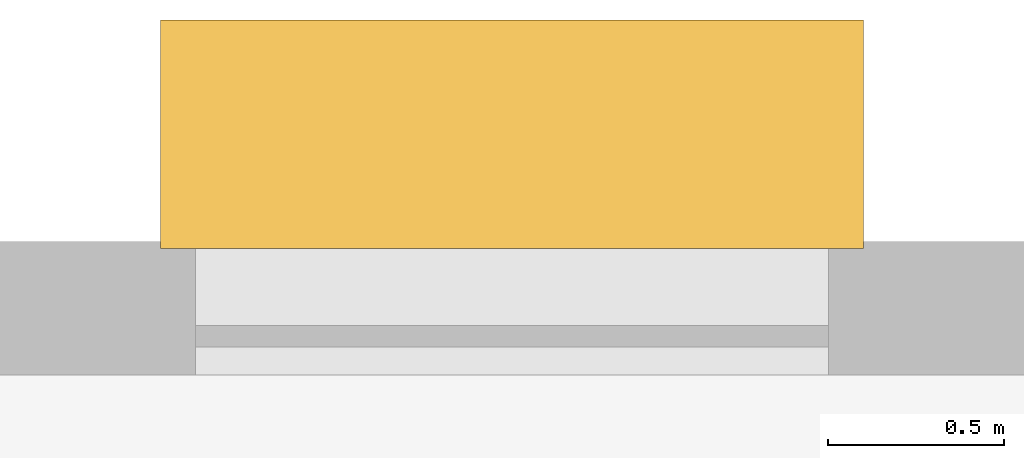
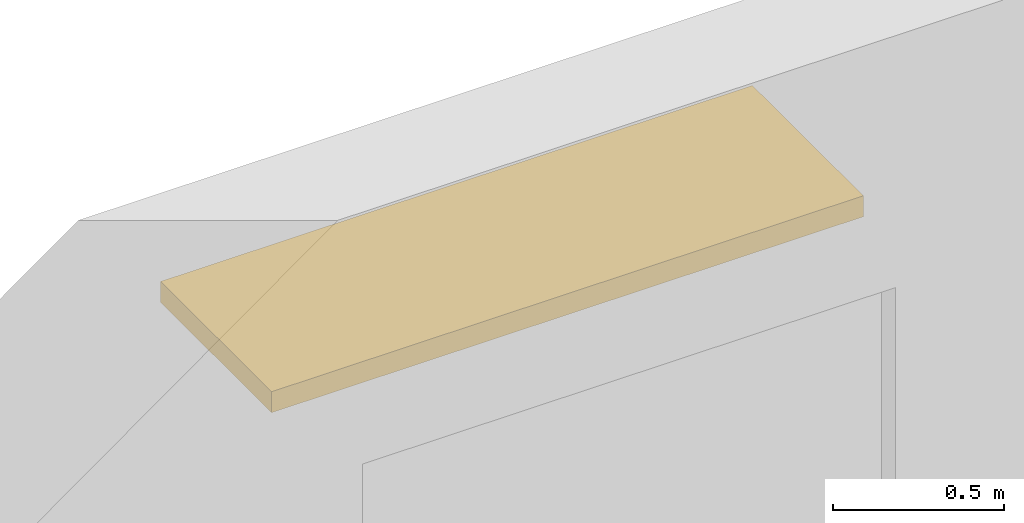
# One storey, part 10 of 10: 1 shading device.
"""IFC4 building model written with IfcOpenShell, lengths in metres."""

import ifcopenshell
import ifcopenshell.guid

model = None  # the IFC model being written
_history = None  # IfcOwnerHistory: only IFC2X3 demands one
_inside = {}  # id of a spatial element -> (the spatial element, [elements in it])
_under = {}  # id of a project, library or spatial element -> (it, [spatial elements below it])
_declared = {}  # id of a project -> (the project, [libraries it declares])
_typed = {}  # id of a type object -> (the type object, [elements of that type])
_made_of = {}  # id of a material, layer set ... -> (it, [elements and type objects made of it])


def new_model(schema):
    """Start an empty IFC model of exactly this schema.

    Asked for "IFC4X3", IfcOpenShell would pick the latest addendum, in which some entities
    have other attributes; the version numbers below select the first issue.
    IFC2X3 requires an IfcOwnerHistory on every rooted entity: one is made here for all.
    """
    global model, _history
    if schema == "IFC4X3":
        model = ifcopenshell.file(schema_version=(4, 3, 0, 0))
    else:
        model = ifcopenshell.file(schema=schema)
    _inside.clear()
    _under.clear()
    _declared.clear()
    _typed.clear()
    _made_of.clear()
    _history = None
    if model.schema == "IFC2X3":
        org = make("IfcOrganization", Name="unknown")
        user = make(
            "IfcPersonAndOrganization",
            ThePerson=make("IfcPerson", FamilyName="unknown"),
            TheOrganization=org,
        )
        app = make(
            "IfcApplication",
            ApplicationDeveloper=org,
            Version="unknown",
            ApplicationFullName="unknown",
            ApplicationIdentifier="unknown",
        )
        _history = make(
            "IfcOwnerHistory",
            OwningUser=user,
            OwningApplication=app,
            ChangeAction="ADDED",
            CreationDate=0,
        )
    return model


def make(cls, **values):
    """One entity of the class cls with the attributes given. An attribute that is None is left unset."""
    return model.create_entity(
        cls, **{name: value for name, value in values.items() if value is not None}
    )


def rooted(cls, **values):
    """An entity with a GlobalId (a new one), such as an element, a storey or a relation."""
    return make(cls, GlobalId=ifcopenshell.guid.new(), OwnerHistory=_history, **values)


def si_unit(unit_type, name, prefix=None):
    """IfcSIUnit, for example si_unit("LENGTHUNIT", "METRE", prefix="MILLI")."""
    return make("IfcSIUnit", UnitType=unit_type, Prefix=prefix, Name=name)


def assignment(units):
    """IfcUnitAssignment: the units of a project."""
    return None if units is None else make("IfcUnitAssignment", Units=units)


def point(xyz):
    """IfcCartesianPoint."""
    return None if xyz is None else make("IfcCartesianPoint", Coordinates=xyz)


def direction(xyz):
    """IfcDirection."""
    return None if xyz is None else make("IfcDirection", DirectionRatios=xyz)


def frame(location, z_axis=None, x_axis=None):
    """IfcAxis2Placement3D, a coordinate frame: its origin and axes. An axis left out is left unset."""
    return make(
        "IfcAxis2Placement3D",
        Location=point(location),
        Axis=direction(z_axis),
        RefDirection=direction(x_axis),
    )


def frame_2d(location, x_axis=None):
    """IfcAxis2Placement2D, a coordinate frame in the plane: its origin and x axis."""
    return make(
        "IfcAxis2Placement2D", Location=point(location), RefDirection=direction(x_axis)
    )


def origin():
    """The frame at (0, 0, 0) with its axes left unset."""
    return frame((0.0, 0.0, 0.0))


def origin_2d():
    """The frame at (0, 0) in the plane with its x axis left unset."""
    return frame_2d((0.0, 0.0))


def place(relative_to, where):
    """IfcLocalPlacement: puts the frame where relative to a parent placement (None: the world)."""
    return make(
        "IfcLocalPlacement", PlacementRelTo=relative_to, RelativePlacement=where
    )


def context(
    kind, dimensions, precision=None, world=None, true_north=None, identifier=None
):
    """IfcGeometricRepresentationContext, for example the 3D "Model" context."""
    return make(
        "IfcGeometricRepresentationContext",
        ContextIdentifier=identifier,
        ContextType=kind,
        CoordinateSpaceDimension=dimensions,
        Precision=precision,
        WorldCoordinateSystem=world,
        TrueNorth=true_north,
    )


def subcontext(parent, identifier, kind, view, scale=None):
    """IfcGeometricRepresentationSubContext, for example "Body" below "Model"."""
    return make(
        "IfcGeometricRepresentationSubContext",
        ContextIdentifier=identifier,
        ContextType=kind,
        ParentContext=parent,
        TargetScale=scale,
        TargetView=view,
    )


def project(units=None, contexts=None):
    """IfcProject with its units and contexts."""
    return rooted(
        "IfcProject",
        Name="project",
        RepresentationContexts=contexts,
        UnitsInContext=assignment(units),
    )


def spatial(cls, under=None, at=None, **own):
    """A site, building, storey or space (cls), placed at a placement, below another one or the project."""
    s = rooted(cls, ObjectPlacement=at, **own)
    if under is not None:
        _under.setdefault(under.id(), (under, []))[1].append(s)
    return s


def profile(cls, at=None, kind="AREA", **sizes):
    """A parametric profile (cls). Its sizes go by their IFC names, for example OverallWidth=200.0."""
    return make(cls, ProfileType=kind, Position=at, **sizes)


def rectangle(**sizes):
    """IfcRectangleProfileDef."""
    return profile("IfcRectangleProfileDef", **sizes)


def extrude(swept, where, along, depth):
    """IfcExtrudedAreaSolid: the profile swept, set in the frame where, extruded along a direction by depth."""
    return make(
        "IfcExtrudedAreaSolid",
        SweptArea=swept,
        Position=where,
        ExtrudedDirection=direction(along),
        Depth=depth,
    )


def shape(context_of_items, identifier, shape_type, items):
    """IfcShapeRepresentation: the items that make up one representation, for example the "Body"."""
    return make(
        "IfcShapeRepresentation",
        ContextOfItems=context_of_items,
        RepresentationIdentifier=identifier,
        RepresentationType=shape_type,
        Items=items,
    )


def material(Name=None, Category=None):
    """IfcMaterial."""
    return make("IfcMaterial", Name=Name, Category=Category)


def layer(
    of_material, thickness, ventilated=None, Name=None, Category=None, Priority=None
):
    """IfcMaterialLayer: one layer of a wall or slab, of a material (None: an air gap)."""
    return make(
        "IfcMaterialLayer",
        Material=of_material,
        LayerThickness=thickness,
        IsVentilated=ventilated,
        Name=Name,
        Category=Category,
        Priority=Priority,
    )


def layer_set(layers, Name=None):
    """IfcMaterialLayerSet."""
    return make("IfcMaterialLayerSet", MaterialLayers=layers, LayerSetName=Name)


def made_of(thing, what):
    """Note that an element or type object is made of a material, layer set ...; save() writes the relation."""
    if what is not None:
        _made_of.setdefault(what.id(), (what, []))[1].append(thing)
    return thing


def type_object(cls, material=None, **own):
    """A type object (cls), such as IfcWallType, which elements share."""
    return made_of(rooted(cls, **own), material)


def element(
    cls,
    number,
    at=None,
    inside=None,
    cuts=None,
    type_object=None,
    material=None,
    context=None,
    identifier="Body",
    shape_type=None,
    held_by="IfcProductDefinitionShape",
    body=None,
    shapes=None,
    **own,
):
    """One element of the class cls, such as IfcWall. Its Tag is "e" and its number.

    at: its placement. inside: the storey or other place that contains it. cuts: it is an
    opening in that element (IfcRelVoidsElement). A single representation is given by context,
    identifier, shape_type and body (its items); several are given by shapes. held_by: the class
    of the entity that holds the representations. save() writes the other relations.
    """
    e = rooted(cls, Tag="e%d" % number, ObjectPlacement=at, **own)
    if body is not None:
        shapes = [shape(context, identifier, shape_type, body)]
    if shapes is not None:
        e.Representation = make(held_by, Representations=shapes)
    if inside is not None:
        _inside.setdefault(inside.id(), (inside, []))[1].append(e)
    if cuts is not None:
        rooted(
            "IfcRelVoidsElement", RelatingBuildingElement=cuts, RelatedOpeningElement=e
        )
    if type_object is not None:
        _typed.setdefault(type_object.id(), (type_object, []))[1].append(e)
    return made_of(e, material)


def aggregate(whole, parts):
    """IfcRelAggregates: a whole, such as a stair, and the parts it consists of."""
    return rooted("IfcRelAggregates", RelatingObject=whole, RelatedObjects=parts)


def save(model, path):
    """Write the relations noted so far, then the file.

    IfcRelAggregates (storeys below a building ...), IfcRelContainedInSpatialStructure (elements
    in a storey), IfcRelDefinesByType, IfcRelAssociatesMaterial and IfcRelDeclares: one each for
    every whole, place, type object, material and project.
    """
    for whole, parts in _under.values():
        aggregate(whole, parts)
    for where, things in _inside.values():
        rooted(
            "IfcRelContainedInSpatialStructure",
            RelatedElements=things,
            RelatingStructure=where,
        )
    for kind, things in _typed.values():
        rooted("IfcRelDefinesByType", RelatedObjects=things, RelatingType=kind)
    for what, things in _made_of.values():
        rooted("IfcRelAssociatesMaterial", RelatedObjects=things, RelatingMaterial=what)
    for by, libraries in _declared.values():
        rooted("IfcRelDeclares", RelatingContext=by, RelatedDefinitions=libraries)
    model.write(path)


model = new_model("IFC4")

# Units and contexts
model_context = context("Model", 3, precision=1e-05, world=origin(), true_north=direction((0.0, 1.0)))
body_context = subcontext(model_context, "Body", "Model", "MODEL_VIEW")
ifc_project = project(units=[si_unit("LENGTHUNIT", "METRE"), si_unit("AREAUNIT", "SQUARE_METRE"), si_unit("VOLUMEUNIT", "CUBIC_METRE"), si_unit("PLANEANGLEUNIT", "RADIAN"), si_unit("MASSUNIT", "GRAM", prefix="KILO")], contexts=[model_context])

# Site, building, storey
site_placement = place(None, origin())
site = spatial("IfcSite", under=ifc_project, at=site_placement, CompositionType="ELEMENT")
building_placement = place(site_placement, origin())
building = spatial("IfcBuilding", under=site, at=building_placement, Name="Mawjdan Bourse Tower", CompositionType="ELEMENT")
storey_placement = place(building_placement, frame((0.0, 0.0, 89.10009765625)))
storey = spatial("IfcBuildingStorey", under=building, at=storey_placement, Name="L20", CompositionType="ELEMENT", Elevation=89.10009765625)

# Shading device
ifc_material = material(Name="Bronze Anodised Aluminium", Category="aluminium")
ifc_layer = layer(ifc_material, 0.074951171875)
ifc_layer_set = layer_set([ifc_layer], Name="Bronze Anodised Aluminium")
shading_device_type = type_object("IfcShadingDeviceType", Name="SHD-SUN-650", PredefinedType="USERDEFINED", material=ifc_layer_set)
shading_device_placement = place(storey_placement, frame((19.933349609375, 48.304931640625, 3.10009765625), z_axis=(0.0, 0.0, 1.0), x_axis=(-1.0, 0.0, 0.0)))
element("IfcShadingDevice", 1, at=shading_device_placement, inside=storey, type_object=shading_device_type, Name="L20 Solar Window Hood 08", ObjectType="SUNSHADE", PredefinedType="USERDEFINED", context=body_context, shape_type="SweptSolid", body=[
    extrude(rectangle(XDim=2.0, YDim=0.64990234375, at=origin_2d()), origin(), (0.0, 0.0, 1.0), 0.074951171875),
])

save(model, "model.ifc")
